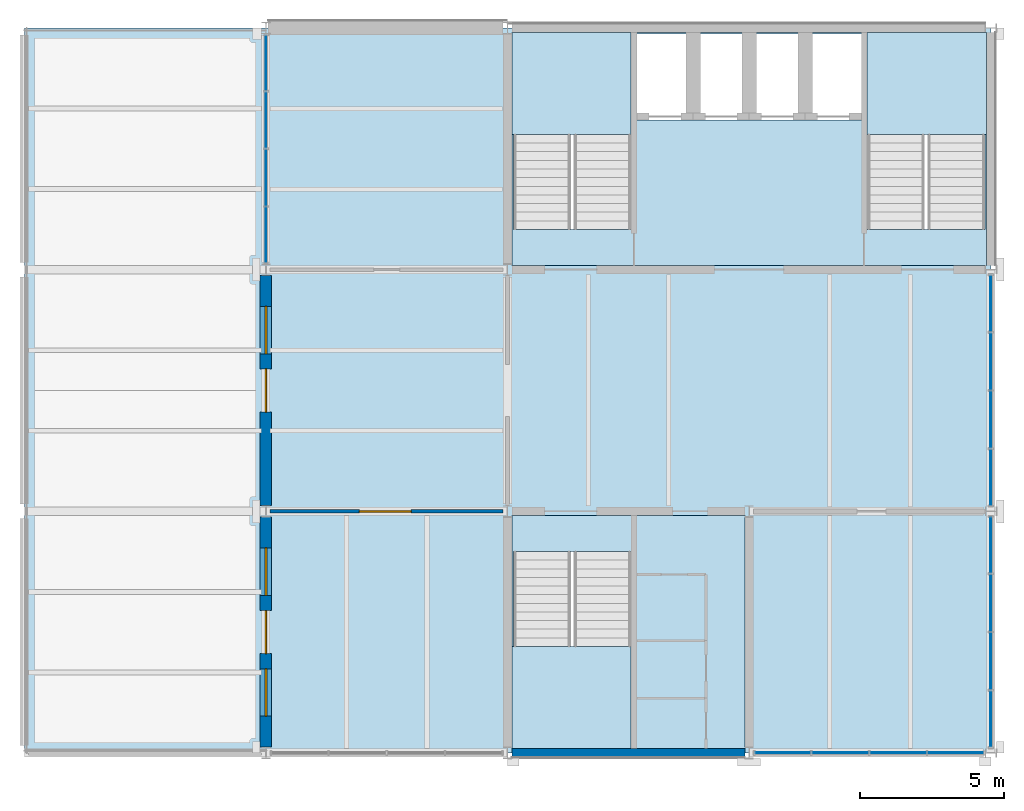
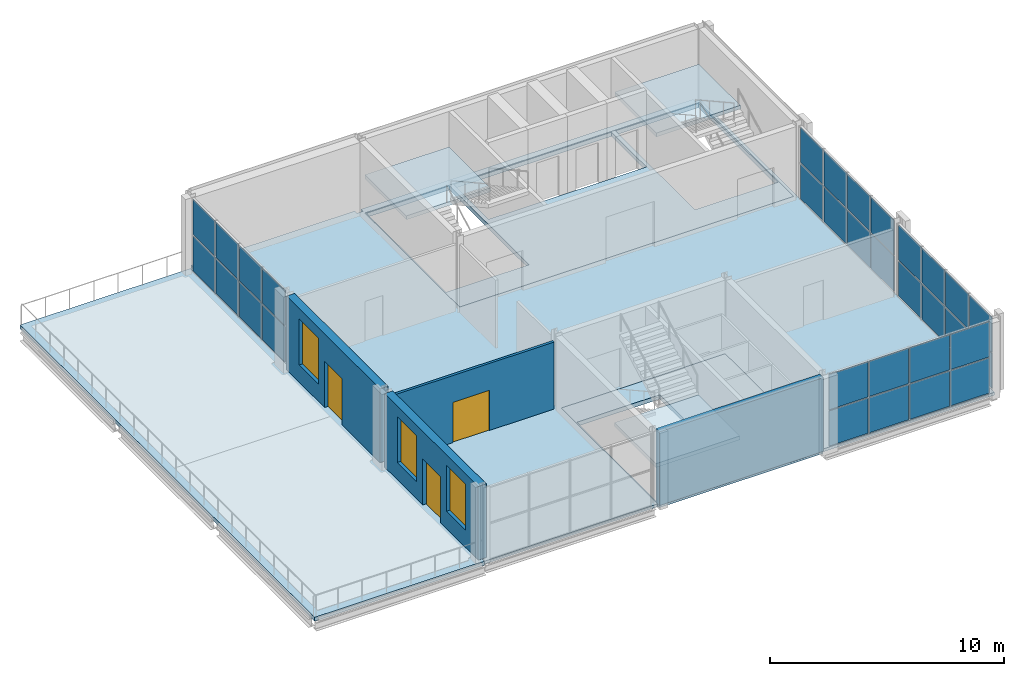
# One storey, part 6 of 9: 32 plates, 7 slabs, 4 walls, 3 doors, 3 windows, 6 openings, 7 elements without a shape of their own.
"""IFC4 building model written with IfcOpenShell, lengths in metres."""

from ifc_helpers import new_model, si_unit, direction, frame, frame_2d, origin, origin_2d, place, context, subcontext, project, spatial, polyline, rectangle, outline, extrude, material, layer, layer_set, type_object, element, fill, aggregate, save


model = new_model("IFC4")

# Units and contexts
model_context = context("Model", 3, precision=1e-05, world=origin(), true_north=direction((0.0, 1.0)))
body_context = subcontext(model_context, "Body", "Model", "MODEL_VIEW")
ifc_project = project(units=[si_unit("LENGTHUNIT", "METRE"), si_unit("AREAUNIT", "SQUARE_METRE"), si_unit("VOLUMEUNIT", "CUBIC_METRE"), si_unit("PLANEANGLEUNIT", "RADIAN"), si_unit("MASSUNIT", "GRAM", prefix="KILO")], contexts=[model_context])

# Site, building, storey
site_placement = place(None, origin())
site = spatial("IfcSite", under=ifc_project, at=site_placement, CompositionType="ELEMENT")
building_placement = place(site_placement, origin())
building = spatial("IfcBuilding", under=site, at=building_placement, Name="Galleria Vessillo Department Store", CompositionType="ELEMENT")
storey_placement = place(building_placement, frame((0.0, 0.0, 47.60009765625)))
storey = spatial("IfcBuildingStorey", under=building, at=storey_placement, Name="L10", CompositionType="ELEMENT", Elevation=47.60009765625)

# Slabs
ifc_material_1 = material(Name="Concrete C32/40 composite on steel deck", Category="concrete")
ifc_layer_1 = layer(ifc_material_1, 0.14990234375)
ifc_layer_set_1 = layer_set([ifc_layer_1], Name="Concrete C32/40 composite on steel deck")
slab_type_1 = type_object("IfcSlabType", Name="Composite floor slab 150 mm", PredefinedType="FLOOR", material=ifc_layer_set_1)
slab_1_placement = place(storey_placement, frame((0.0, 0.0, -0.14990234375)))
element("IfcSlab", 1, at=slab_1_placement, inside=storey, type_object=slab_type_1, Name="S-SLAB-L10-FLOOR", PredefinedType="FLOOR", context=body_context, shape_type="SweptSolid", body=[
    extrude(outline(polyline([(100.95068359375, 37.800048828125), (92.39990234375, 37.800048828125), (92.39990234375, 63.0), (92.550537109375, 63.0), (92.550537109375, 63.199951171875), (100.6494140625, 63.199951171875), (100.6494140625, 63.0), (100.95068359375, 63.0), (100.95068359375, 63.17431640625), (117.349609375, 63.17431640625), (117.349609375, 63.0), (117.60009765625, 63.0), (117.60009765625, 37.800048828125), (109.04931640625, 37.800048828125), (109.04931640625, 37.699951171875), (100.95068359375, 37.699951171875), (100.95068359375, 37.800048828125)]), holes=[polyline([(109.050048828125, 37.949951171875), (109.050048828125, 46.050048828125), (100.949951171875, 46.050048828125), (100.949951171875, 37.949951171875), (109.050048828125, 37.949951171875)]), polyline([(117.4501953125, 54.75), (117.4501953125, 62.85009765625), (100.949951171875, 62.85009765625), (100.949951171875, 54.75), (117.4501953125, 54.75)])]), origin(), (0.0, 0.0, 1.0), 0.14990234375),
])
ifc_material_2 = material(Name="Concrete C32/40 composite on steel deck", Category="concrete")
ifc_layer_2 = layer(ifc_material_2, 0.199951171875)
ifc_layer_set_2 = layer_set([ifc_layer_2], Name="Concrete C32/40 composite on steel deck")
slab_type_2 = type_object("IfcSlabType", Name="Composite terrace slab 200 mm", PredefinedType="ROOF", material=ifc_layer_set_2)
slab_2_placement = place(storey_placement, frame((0.0, 0.0, -0.199951171875)))
element("IfcSlab", 2, at=slab_2_placement, inside=storey, type_object=slab_type_2, Name="S-SLAB-L10-TERRACE", PredefinedType="ROOF", context=body_context, shape_type="SweptSolid", body=[
    extrude(outline(polyline([(84.0, 37.800048828125), (84.0, 63.0), (92.39990234375, 63.0), (92.39990234375, 37.800048828125), (84.0, 37.800048828125)])), origin(), (0.0, 0.0, 1.0), 0.199951171875),
])

# Curtain wall, plates
ifc_material_3 = material(Name="Aluminium and glass curtain wall", Category="aluminium")
ifc_layer_3 = layer(ifc_material_3, 0.159912109375)
ifc_layer_set_3 = layer_set([ifc_layer_3], Name="Aluminium and glass curtain wall")
curtain_wall_type = type_object("IfcCurtainWallType", Name="Tower curtain wall CW4 2100 module", PredefinedType="NOTDEFINED", material=ifc_layer_set_3)
curtain_wall_1_placement = place(storey_placement, origin())
curtain_wall_1 = element("IfcCurtainWall", 3, at=curtain_wall_1_placement, inside=storey, type_object=curtain_wall_type, Name="Tower curtain wall CW4 2100 module TW-L10-03", PredefinedType="NOTDEFINED")
ifc_material_4 = material(Name="Glass laminated 44.2 low-e", Category="glass")
ifc_layer_4 = layer(ifc_material_4, 0.028076171875)
ifc_layer_set_4 = layer_set([ifc_layer_4], Name="Glass laminated 44.2 low-e")
plate_type_1 = type_object("IfcPlateType", Name="Laminated glass panel 28 mm", PredefinedType="CURTAIN_PANEL", material=ifc_layer_set_4)
plate_1_placement = place(storey_placement, frame((92.39990234375, 55.81494140625, 1.955078125), z_axis=(0.0, 0.0, 1.0), x_axis=(0.0, 1.0, 0.0)))
plate_1 = element("IfcPlate", 4, at=plate_1_placement, type_object=plate_type_1, Name="CW4 panel 1.2", PredefinedType="CURTAIN_PANEL", context=body_context, shape_type="SweptSolid", body=[
    extrude(rectangle(XDim=1.909912109375, YDim=0.028076171875, at=origin_2d()), origin(), (0.0, 0.0, 1.0), 1.835205078125),
])
plate_2_placement = place(storey_placement, frame((92.39990234375, 57.800048828125, 1.955078125), z_axis=(0.0, 0.0, 1.0), x_axis=(0.0, 1.0, 0.0)))
plate_2 = element("IfcPlate", 5, at=plate_2_placement, type_object=plate_type_1, Name="CW4 panel 2.2", PredefinedType="CURTAIN_PANEL", context=body_context, shape_type="SweptSolid", body=[
    extrude(rectangle(XDim=1.93994140625, YDim=0.028076171875, at=origin_2d()), origin(), (0.0, 0.0, 1.0), 1.835205078125),
])
plate_3_placement = place(storey_placement, frame((92.39990234375, 59.800048828125, 1.955078125), z_axis=(0.0, 0.0, 1.0), x_axis=(0.0, 1.0, 0.0)))
plate_3 = element("IfcPlate", 6, at=plate_3_placement, type_object=plate_type_1, Name="CW4 panel 3.2", PredefinedType="CURTAIN_PANEL", context=body_context, shape_type="SweptSolid", body=[
    extrude(rectangle(XDim=1.93994140625, YDim=0.028076171875, at=origin_2d()), origin(), (0.0, 0.0, 1.0), 1.835205078125),
])
plate_4_placement = place(storey_placement, frame((92.39990234375, 61.78515625, 1.955078125), z_axis=(0.0, 0.0, 1.0), x_axis=(0.0, 1.0, 0.0)))
plate_4 = element("IfcPlate", 7, at=plate_4_placement, type_object=plate_type_1, Name="CW4 panel 4.2", PredefinedType="CURTAIN_PANEL", context=body_context, shape_type="SweptSolid", body=[
    extrude(rectangle(XDim=1.909912109375, YDim=0.028076171875, at=origin_2d()), origin(), (0.0, 0.0, 1.0), 1.835205078125),
])

curtain_wall_2_placement = place(storey_placement, origin())
curtain_wall_2 = element("IfcCurtainWall", 8, at=curtain_wall_2_placement, inside=storey, type_object=curtain_wall_type, Name="Tower curtain wall CW4 2100 module TS-L10-02", PredefinedType="NOTDEFINED")
plate_5_placement = place(storey_placement, frame((110.37109375, 37.800048828125, 1.955078125), z_axis=(0.0, 0.0, 1.0), x_axis=(1.0, 0.0, 0.0)))
plate_5 = element("IfcPlate", 9, at=plate_5_placement, type_object=plate_type_1, Name="CW4 panel 1.2", PredefinedType="CURTAIN_PANEL", context=body_context, shape_type="SweptSolid", body=[
    extrude(rectangle(XDim=1.922607421875, YDim=0.028076171875, at=origin_2d()), origin(), (0.0, 0.0, 1.0), 1.835205078125),
])
plate_6_placement = place(storey_placement, frame((112.36865234375, 37.800048828125, 1.955078125), z_axis=(0.0, 0.0, 1.0), x_axis=(1.0, 0.0, 0.0)))
plate_6 = element("IfcPlate", 10, at=plate_6_placement, type_object=plate_type_1, Name="CW4 panel 2.2", PredefinedType="CURTAIN_PANEL", context=body_context, shape_type="SweptSolid", body=[
    extrude(rectangle(XDim=1.95263671875, YDim=0.028076171875, at=origin_2d()), origin(), (0.0, 0.0, 1.0), 1.835205078125),
])
plate_7_placement = place(storey_placement, frame((114.38134765625, 37.800048828125, 1.955078125), z_axis=(0.0, 0.0, 1.0), x_axis=(1.0, 0.0, 0.0)))
plate_7 = element("IfcPlate", 11, at=plate_7_placement, type_object=plate_type_1, Name="CW4 panel 3.2", PredefinedType="CURTAIN_PANEL", context=body_context, shape_type="SweptSolid", body=[
    extrude(rectangle(XDim=1.95263671875, YDim=0.028076171875, at=origin_2d()), origin(), (0.0, 0.0, 1.0), 1.835205078125),
])
plate_8_placement = place(storey_placement, frame((116.37890625, 37.800048828125, 1.955078125), z_axis=(0.0, 0.0, 1.0), x_axis=(1.0, 0.0, 0.0)))
plate_8 = element("IfcPlate", 12, at=plate_8_placement, type_object=plate_type_1, Name="CW4 panel 4.2", PredefinedType="CURTAIN_PANEL", context=body_context, shape_type="SweptSolid", body=[
    extrude(rectangle(XDim=1.922607421875, YDim=0.028076171875, at=origin_2d()), origin(), (0.0, 0.0, 1.0), 1.835205078125),
])

curtain_wall_3_placement = place(storey_placement, origin())
curtain_wall_3 = element("IfcCurtainWall", 13, at=curtain_wall_3_placement, inside=storey, type_object=curtain_wall_type, Name="Tower curtain wall CW4 2100 module TE-L10-01", PredefinedType="NOTDEFINED")
plate_9_placement = place(storey_placement, frame((117.60009765625, 38.9775390625, 1.955078125), z_axis=(0.0, 0.0, 1.0), x_axis=(0.0, 1.0, 0.0)))
plate_9 = element("IfcPlate", 14, at=plate_9_placement, type_object=plate_type_1, Name="CW4 panel 1.2", PredefinedType="CURTAIN_PANEL", context=body_context, shape_type="SweptSolid", body=[
    extrude(rectangle(XDim=1.93505859375, YDim=0.028076171875, at=origin_2d()), origin(), (0.0, 0.0, 1.0), 1.835205078125),
])
plate_10_placement = place(storey_placement, frame((117.60009765625, 40.987548828125, 1.955078125), z_axis=(0.0, 0.0, 1.0), x_axis=(0.0, 1.0, 0.0)))
plate_10 = element("IfcPlate", 15, at=plate_10_placement, type_object=plate_type_1, Name="CW4 panel 2.2", PredefinedType="CURTAIN_PANEL", context=body_context, shape_type="SweptSolid", body=[
    extrude(rectangle(XDim=1.965087890625, YDim=0.028076171875, at=origin_2d()), origin(), (0.0, 0.0, 1.0), 1.835205078125),
])
plate_11_placement = place(storey_placement, frame((117.60009765625, 43.012451171875, 1.955078125), z_axis=(0.0, 0.0, 1.0), x_axis=(0.0, 1.0, 0.0)))
plate_11 = element("IfcPlate", 16, at=plate_11_placement, type_object=plate_type_1, Name="CW4 panel 3.2", PredefinedType="CURTAIN_PANEL", context=body_context, shape_type="SweptSolid", body=[
    extrude(rectangle(XDim=1.965087890625, YDim=0.028076171875, at=origin_2d()), origin(), (0.0, 0.0, 1.0), 1.835205078125),
])
plate_12_placement = place(storey_placement, frame((117.60009765625, 45.0224609375, 1.955078125), z_axis=(0.0, 0.0, 1.0), x_axis=(0.0, 1.0, 0.0)))
plate_12 = element("IfcPlate", 17, at=plate_12_placement, type_object=plate_type_1, Name="CW4 panel 4.2", PredefinedType="CURTAIN_PANEL", context=body_context, shape_type="SweptSolid", body=[
    extrude(rectangle(XDim=1.93505859375, YDim=0.028076171875, at=origin_2d()), origin(), (0.0, 0.0, 1.0), 1.835205078125),
])

curtain_wall_4_placement = place(storey_placement, origin())
curtain_wall_4 = element("IfcCurtainWall", 18, at=curtain_wall_4_placement, inside=storey, type_object=curtain_wall_type, Name="Tower curtain wall CW4 2100 module TE-L10-02", PredefinedType="NOTDEFINED")
plate_13_placement = place(storey_placement, frame((117.60009765625, 47.37744140625, 1.955078125), z_axis=(0.0, 0.0, 1.0), x_axis=(0.0, 1.0, 0.0)))
plate_13 = element("IfcPlate", 19, at=plate_13_placement, type_object=plate_type_1, Name="CW4 panel 1.2", PredefinedType="CURTAIN_PANEL", context=body_context, shape_type="SweptSolid", body=[
    extrude(rectangle(XDim=1.93505859375, YDim=0.028076171875, at=origin_2d()), origin(), (0.0, 0.0, 1.0), 1.835205078125),
])
plate_14_placement = place(storey_placement, frame((117.60009765625, 49.387451171875, 1.955078125), z_axis=(0.0, 0.0, 1.0), x_axis=(0.0, 1.0, 0.0)))
plate_14 = element("IfcPlate", 20, at=plate_14_placement, type_object=plate_type_1, Name="CW4 panel 2.2", PredefinedType="CURTAIN_PANEL", context=body_context, shape_type="SweptSolid", body=[
    extrude(rectangle(XDim=1.965087890625, YDim=0.028076171875, at=origin_2d()), origin(), (0.0, 0.0, 1.0), 1.835205078125),
])
plate_15_placement = place(storey_placement, frame((117.60009765625, 51.41259765625, 1.955078125), z_axis=(0.0, 0.0, 1.0), x_axis=(0.0, 1.0, 0.0)))
plate_15 = element("IfcPlate", 21, at=plate_15_placement, type_object=plate_type_1, Name="CW4 panel 3.2", PredefinedType="CURTAIN_PANEL", context=body_context, shape_type="SweptSolid", body=[
    extrude(rectangle(XDim=1.965087890625, YDim=0.028076171875, at=origin_2d()), origin(), (0.0, 0.0, 1.0), 1.835205078125),
])
plate_16_placement = place(storey_placement, frame((117.60009765625, 53.422607421875, 1.955078125), z_axis=(0.0, 0.0, 1.0), x_axis=(0.0, 1.0, 0.0)))
plate_16 = element("IfcPlate", 22, at=plate_16_placement, type_object=plate_type_1, Name="CW4 panel 4.2", PredefinedType="CURTAIN_PANEL", context=body_context, shape_type="SweptSolid", body=[
    extrude(rectangle(XDim=1.93505859375, YDim=0.028076171875, at=origin_2d()), origin(), (0.0, 0.0, 1.0), 1.835205078125),
])

# Slabs
ifc_material_5 = material(Name="Concrete C32/40 reinforced", Category="concrete")
ifc_layer_5 = layer(ifc_material_5, 0.219970703125)
ifc_layer_set_5 = layer_set([ifc_layer_5], Name="Concrete C32/40 reinforced")
slab_type_3 = type_object("IfcSlabType", Name="Reinforced concrete core floor slab 220 mm", PredefinedType="FLOOR", material=ifc_layer_set_5)
slab_3_placement = place(storey_placement, frame((0.0, 0.0, -0.219970703125)))
element("IfcSlab", 23, at=slab_3_placement, inside=storey, type_object=slab_type_3, Name="S-SLAB-L10-CORE-TC", PredefinedType="FLOOR", context=body_context, shape_type="SweptSolid", body=[
    extrude(outline(polyline([(100.949951171875, 54.75), (100.949951171875, 62.85009765625), (117.4501953125, 62.85009765625), (117.4501953125, 54.75), (100.949951171875, 54.75)]), holes=[polyline([(105.10009765625, 56.0), (105.10009765625, 62.800048828125), (101.0, 62.800048828125), (101.0, 56.0), (105.10009765625, 56.0)]), polyline([(113.300048828125, 56.0), (117.39990234375, 56.0), (117.39990234375, 62.800048828125), (113.300048828125, 62.800048828125), (113.300048828125, 56.0)]), polyline([(105.300048828125, 59.800048828125), (113.10009765625, 59.800048828125), (113.10009765625, 62.800048828125), (105.300048828125, 62.800048828125), (105.300048828125, 59.800048828125)])]), origin(), (0.0, 0.0, 1.0), 0.219970703125),
])
slab_4_placement = place(storey_placement, frame((0.0, 0.0, -0.219970703125)))
element("IfcSlab", 24, at=slab_4_placement, inside=storey, type_object=slab_type_3, Name="S-SLAB-L10-CORE-TS", PredefinedType="FLOOR", context=body_context, shape_type="SweptSolid", body=[
    extrude(outline(polyline([(100.949951171875, 37.949951171875), (100.949951171875, 46.050048828125), (109.050048828125, 46.050048828125), (109.050048828125, 37.949951171875), (100.949951171875, 37.949951171875)]), holes=[polyline([(105.10009765625, 44.800048828125), (101.0, 44.800048828125), (101.0, 38.0), (105.10009765625, 38.0), (105.10009765625, 44.800048828125)])]), origin(), (0.0, 0.0, 1.0), 0.219970703125),
])

# Stair, slab
ifc_material_6 = material(Name="Concrete C32/40", Category="concrete")
stair_type = type_object("IfcStairType", Name="Half-turn escape stair 2000 mm, 24 risers of 167 mm", PredefinedType="HALF_TURN_STAIR", material=ifc_material_6)
stair_1_placement = place(storey_placement, origin())
stair_1 = element("IfcStair", 25, at=stair_1_placement, inside=storey, type_object=stair_type, Name="Stair ST8 L10", PredefinedType="HALF_TURN_STAIR")
ifc_material_7 = material(Name="Concrete C32/40", Category="concrete")
ifc_layer_6 = layer(ifc_material_7, 0.199951171875)
ifc_layer_set_6 = layer_set([ifc_layer_6], Name="Concrete C32/40")
slab_type_4 = type_object("IfcSlabType", Name="Stair half landing 4150 x 3550 mm", PredefinedType="LANDING", material=ifc_layer_set_6)
slab_5_placement = place(storey_placement, frame((0.0, 0.0, 1.800048828125)))
slab_5 = element("IfcSlab", 26, at=slab_5_placement, type_object=slab_type_4, Name="ST8 landing 1", PredefinedType="LANDING", context=body_context, shape_type="SweptSolid", body=[
    extrude(outline(polyline([(100.949951171875, 59.300048828125), (100.949951171875, 62.85009765625), (105.10009765625, 62.85009765625), (105.10009765625, 59.300048828125), (100.949951171875, 59.300048828125)])), origin(), (0.0, 0.0, 1.0), 0.199951171875),
])
aggregate(stair_1, [slab_5])

stair_2_placement = place(storey_placement, origin())
stair_2 = element("IfcStair", 27, at=stair_2_placement, inside=storey, type_object=stair_type, Name="Stair ST9 L10", PredefinedType="HALF_TURN_STAIR")
slab_6_placement = place(storey_placement, frame((0.0, 0.0, 1.800048828125)))
slab_6 = element("IfcSlab", 28, at=slab_6_placement, type_object=slab_type_4, Name="ST9 landing 1", PredefinedType="LANDING", context=body_context, shape_type="SweptSolid", body=[
    extrude(outline(polyline([(113.300048828125, 59.300048828125), (113.300048828125, 62.85009765625), (117.4501953125, 62.85009765625), (117.4501953125, 59.300048828125), (113.300048828125, 59.300048828125)])), origin(), (0.0, 0.0, 1.0), 0.199951171875),
])
aggregate(stair_2, [slab_6])

stair_3_placement = place(storey_placement, origin())
stair_3 = element("IfcStair", 29, at=stair_3_placement, inside=storey, type_object=stair_type, Name="Stair ST12 L10", PredefinedType="HALF_TURN_STAIR")
slab_7_placement = place(storey_placement, frame((0.0, 0.0, 1.800048828125)))
slab_7 = element("IfcSlab", 30, at=slab_7_placement, type_object=slab_type_4, Name="ST12 landing 1", PredefinedType="LANDING", context=body_context, shape_type="SweptSolid", body=[
    extrude(outline(polyline([(100.949951171875, 37.949951171875), (100.949951171875, 41.5), (105.10009765625, 41.5), (105.10009765625, 37.949951171875), (100.949951171875, 37.949951171875)])), origin(), (0.0, 0.0, 1.0), 0.199951171875),
])
aggregate(stair_3, [slab_7])

# Plate
ifc_material_8 = material(Name="Limestone spandrel on aluminium tray", Category="masonry")
ifc_layer_7 = layer(ifc_material_8, 0.028076171875)
ifc_layer_set_7 = layer_set([ifc_layer_7], Name="Limestone spandrel on aluminium tray")
plate_type_2 = type_object("IfcPlateType", Name="Stone spandrel panel 28 mm", PredefinedType="CURTAIN_PANEL", material=ifc_layer_set_7)
plate_17_placement = place(storey_placement, frame((92.39990234375, 55.81494140625, 0.06005859375), z_axis=(0.0, 0.0, 1.0), x_axis=(0.0, 1.0, 0.0)))
plate_17 = element("IfcPlate", 31, at=plate_17_placement, type_object=plate_type_2, Name="CW4 panel 1.1", PredefinedType="CURTAIN_PANEL", context=body_context, shape_type="SweptSolid", body=[
    extrude(rectangle(XDim=1.909912109375, YDim=0.028076171875, at=origin_2d()), origin(), (0.0, 0.0, 1.0), 1.8349609375),
])

plate_18_placement = place(storey_placement, frame((92.39990234375, 57.800048828125, 0.06005859375), z_axis=(0.0, 0.0, 1.0), x_axis=(0.0, 1.0, 0.0)))
plate_18 = element("IfcPlate", 32, at=plate_18_placement, type_object=plate_type_2, Name="CW4 panel 2.1", PredefinedType="CURTAIN_PANEL", context=body_context, shape_type="SweptSolid", body=[
    extrude(rectangle(XDim=1.93994140625, YDim=0.028076171875, at=origin_2d()), origin(), (0.0, 0.0, 1.0), 1.8349609375),
])

plate_19_placement = place(storey_placement, frame((92.39990234375, 59.800048828125, 0.06005859375), z_axis=(0.0, 0.0, 1.0), x_axis=(0.0, 1.0, 0.0)))
plate_19 = element("IfcPlate", 33, at=plate_19_placement, type_object=plate_type_2, Name="CW4 panel 3.1", PredefinedType="CURTAIN_PANEL", context=body_context, shape_type="SweptSolid", body=[
    extrude(rectangle(XDim=1.93994140625, YDim=0.028076171875, at=origin_2d()), origin(), (0.0, 0.0, 1.0), 1.8349609375),
])

plate_20_placement = place(storey_placement, frame((92.39990234375, 61.78515625, 0.06005859375), z_axis=(0.0, 0.0, 1.0), x_axis=(0.0, 1.0, 0.0)))
plate_20 = element("IfcPlate", 34, at=plate_20_placement, type_object=plate_type_2, Name="CW4 panel 4.1", PredefinedType="CURTAIN_PANEL", context=body_context, shape_type="SweptSolid", body=[
    extrude(rectangle(XDim=1.909912109375, YDim=0.028076171875, at=origin_2d()), origin(), (0.0, 0.0, 1.0), 1.8349609375),
])

aggregate(curtain_wall_1, [plate_17, plate_1, plate_18, plate_2, plate_19, plate_3, plate_20, plate_4])

plate_21_placement = place(storey_placement, frame((110.37109375, 37.800048828125, 0.06005859375), z_axis=(0.0, 0.0, 1.0), x_axis=(1.0, 0.0, 0.0)))
plate_21 = element("IfcPlate", 35, at=plate_21_placement, type_object=plate_type_2, Name="CW4 panel 1.1", PredefinedType="CURTAIN_PANEL", context=body_context, shape_type="SweptSolid", body=[
    extrude(rectangle(XDim=1.922607421875, YDim=0.028076171875, at=origin_2d()), origin(), (0.0, 0.0, 1.0), 1.8349609375),
])

plate_22_placement = place(storey_placement, frame((112.36865234375, 37.800048828125, 0.06005859375), z_axis=(0.0, 0.0, 1.0), x_axis=(1.0, 0.0, 0.0)))
plate_22 = element("IfcPlate", 36, at=plate_22_placement, type_object=plate_type_2, Name="CW4 panel 2.1", PredefinedType="CURTAIN_PANEL", context=body_context, shape_type="SweptSolid", body=[
    extrude(rectangle(XDim=1.95263671875, YDim=0.028076171875, at=origin_2d()), origin(), (0.0, 0.0, 1.0), 1.8349609375),
])

plate_23_placement = place(storey_placement, frame((114.38134765625, 37.800048828125, 0.06005859375), z_axis=(0.0, 0.0, 1.0), x_axis=(1.0, 0.0, 0.0)))
plate_23 = element("IfcPlate", 37, at=plate_23_placement, type_object=plate_type_2, Name="CW4 panel 3.1", PredefinedType="CURTAIN_PANEL", context=body_context, shape_type="SweptSolid", body=[
    extrude(rectangle(XDim=1.95263671875, YDim=0.028076171875, at=origin_2d()), origin(), (0.0, 0.0, 1.0), 1.8349609375),
])

plate_24_placement = place(storey_placement, frame((116.37890625, 37.800048828125, 0.06005859375), z_axis=(0.0, 0.0, 1.0), x_axis=(1.0, 0.0, 0.0)))
plate_24 = element("IfcPlate", 38, at=plate_24_placement, type_object=plate_type_2, Name="CW4 panel 4.1", PredefinedType="CURTAIN_PANEL", context=body_context, shape_type="SweptSolid", body=[
    extrude(rectangle(XDim=1.922607421875, YDim=0.028076171875, at=origin_2d()), origin(), (0.0, 0.0, 1.0), 1.8349609375),
])

aggregate(curtain_wall_2, [plate_21, plate_5, plate_22, plate_6, plate_23, plate_7, plate_24, plate_8])

plate_25_placement = place(storey_placement, frame((117.60009765625, 38.9775390625, 0.06005859375), z_axis=(0.0, 0.0, 1.0), x_axis=(0.0, 1.0, 0.0)))
plate_25 = element("IfcPlate", 39, at=plate_25_placement, type_object=plate_type_2, Name="CW4 panel 1.1", PredefinedType="CURTAIN_PANEL", context=body_context, shape_type="SweptSolid", body=[
    extrude(rectangle(XDim=1.93505859375, YDim=0.028076171875, at=origin_2d()), origin(), (0.0, 0.0, 1.0), 1.8349609375),
])

plate_26_placement = place(storey_placement, frame((117.60009765625, 40.987548828125, 0.06005859375), z_axis=(0.0, 0.0, 1.0), x_axis=(0.0, 1.0, 0.0)))
plate_26 = element("IfcPlate", 40, at=plate_26_placement, type_object=plate_type_2, Name="CW4 panel 2.1", PredefinedType="CURTAIN_PANEL", context=body_context, shape_type="SweptSolid", body=[
    extrude(rectangle(XDim=1.965087890625, YDim=0.028076171875, at=origin_2d()), origin(), (0.0, 0.0, 1.0), 1.8349609375),
])

plate_27_placement = place(storey_placement, frame((117.60009765625, 43.012451171875, 0.06005859375), z_axis=(0.0, 0.0, 1.0), x_axis=(0.0, 1.0, 0.0)))
plate_27 = element("IfcPlate", 41, at=plate_27_placement, type_object=plate_type_2, Name="CW4 panel 3.1", PredefinedType="CURTAIN_PANEL", context=body_context, shape_type="SweptSolid", body=[
    extrude(rectangle(XDim=1.965087890625, YDim=0.028076171875, at=origin_2d()), origin(), (0.0, 0.0, 1.0), 1.8349609375),
])

plate_28_placement = place(storey_placement, frame((117.60009765625, 45.0224609375, 0.06005859375), z_axis=(0.0, 0.0, 1.0), x_axis=(0.0, 1.0, 0.0)))
plate_28 = element("IfcPlate", 42, at=plate_28_placement, type_object=plate_type_2, Name="CW4 panel 4.1", PredefinedType="CURTAIN_PANEL", context=body_context, shape_type="SweptSolid", body=[
    extrude(rectangle(XDim=1.93505859375, YDim=0.028076171875, at=origin_2d()), origin(), (0.0, 0.0, 1.0), 1.8349609375),
])

aggregate(curtain_wall_3, [plate_25, plate_9, plate_26, plate_10, plate_27, plate_11, plate_28, plate_12])

plate_29_placement = place(storey_placement, frame((117.60009765625, 47.37744140625, 0.06005859375), z_axis=(0.0, 0.0, 1.0), x_axis=(0.0, 1.0, 0.0)))
plate_29 = element("IfcPlate", 43, at=plate_29_placement, type_object=plate_type_2, Name="CW4 panel 1.1", PredefinedType="CURTAIN_PANEL", context=body_context, shape_type="SweptSolid", body=[
    extrude(rectangle(XDim=1.93505859375, YDim=0.028076171875, at=origin_2d()), origin(), (0.0, 0.0, 1.0), 1.8349609375),
])

plate_30_placement = place(storey_placement, frame((117.60009765625, 49.387451171875, 0.06005859375), z_axis=(0.0, 0.0, 1.0), x_axis=(0.0, 1.0, 0.0)))
plate_30 = element("IfcPlate", 44, at=plate_30_placement, type_object=plate_type_2, Name="CW4 panel 2.1", PredefinedType="CURTAIN_PANEL", context=body_context, shape_type="SweptSolid", body=[
    extrude(rectangle(XDim=1.965087890625, YDim=0.028076171875, at=origin_2d()), origin(), (0.0, 0.0, 1.0), 1.8349609375),
])

plate_31_placement = place(storey_placement, frame((117.60009765625, 51.41259765625, 0.06005859375), z_axis=(0.0, 0.0, 1.0), x_axis=(0.0, 1.0, 0.0)))
plate_31 = element("IfcPlate", 45, at=plate_31_placement, type_object=plate_type_2, Name="CW4 panel 3.1", PredefinedType="CURTAIN_PANEL", context=body_context, shape_type="SweptSolid", body=[
    extrude(rectangle(XDim=1.965087890625, YDim=0.028076171875, at=origin_2d()), origin(), (0.0, 0.0, 1.0), 1.8349609375),
])

plate_32_placement = place(storey_placement, frame((117.60009765625, 53.422607421875, 0.06005859375), z_axis=(0.0, 0.0, 1.0), x_axis=(0.0, 1.0, 0.0)))
plate_32 = element("IfcPlate", 46, at=plate_32_placement, type_object=plate_type_2, Name="CW4 panel 4.1", PredefinedType="CURTAIN_PANEL", context=body_context, shape_type="SweptSolid", body=[
    extrude(rectangle(XDim=1.93505859375, YDim=0.028076171875, at=origin_2d()), origin(), (0.0, 0.0, 1.0), 1.8349609375),
])

aggregate(curtain_wall_4, [plate_29, plate_13, plate_30, plate_14, plate_31, plate_15, plate_32, plate_16])

# Wall, openings, door, windows
ifc_material_9 = material(Name="Reinforced masonry, limestone units 80 MPa", Category="masonry")
ifc_layer_8 = layer(ifc_material_9, 0.39990234375)
ifc_layer_set_8 = layer_set([ifc_layer_8], Name="Reinforced masonry, limestone units 80 MPa")
wall_type_1 = type_object("IfcWallType", Name="Load-bearing limestone-faced wall 400 mm", PredefinedType="STANDARD", material=ifc_layer_set_8)
wall_1_placement = place(storey_placement, frame((92.39990234375, 38.0, 0.0), z_axis=(0.0, 0.0, 1.0), x_axis=(0.0, 1.0, 0.0)))
wall_1 = element("IfcWall", 47, at=wall_1_placement, inside=storey, type_object=wall_type_1, Name="Load-bearing limestone-faced wall 400 mm TW-L10-01", PredefinedType="STANDARD", context=body_context, shape_type="SweptSolid", body=[
    extrude(rectangle(XDim=8.0, YDim=0.39990234375, at=frame_2d((4.0, 0.0))), origin(), (0.0, 0.0, 1.0), 3.85009765625),
])
opening_1_placement = place(wall_1_placement, frame((1.074951171875, 0.0, 0.89990234375)))
opening_1 = element("IfcOpeningElement", 48, at=opening_1_placement, cuts=wall_1, Name="Opening W095", PredefinedType="OPENING", context=body_context, shape_type="SweptSolid", body=[
    extrude(rectangle(XDim=1.64990234375, YDim=2.39990234375, at=frame_2d((0.824951171875, 1.199951171875))), frame((0.0, 0.2099609375, 0.0), z_axis=(0.0, -1.0, 0.0), x_axis=(1.0, 0.0, 0.0)), (0.0, 0.0, 1.0), 0.419921875),
])
opening_2_placement = place(wall_1_placement, frame((5.27490234375, 0.0, 0.89990234375)))
opening_2 = element("IfcOpeningElement", 49, at=opening_2_placement, cuts=wall_1, Name="Opening W096", PredefinedType="OPENING", context=body_context, shape_type="SweptSolid", body=[
    extrude(rectangle(XDim=1.64990234375, YDim=2.39990234375, at=frame_2d((0.824951171875, 1.199951171875))), frame((0.0, 0.2099609375, 0.0), z_axis=(0.0, -1.0, 0.0), x_axis=(1.0, 0.0, 0.0)), (0.0, 0.0, 1.0), 0.419921875),
])
opening_3_placement = place(wall_1_placement, frame((3.25, 0.0, 0.0)))
opening_3 = element("IfcOpeningElement", 50, at=opening_3_placement, cuts=wall_1, Name="Opening DT10-W42", PredefinedType="OPENING", context=body_context, shape_type="SweptSolid", body=[
    extrude(rectangle(XDim=1.5, YDim=2.39990234375, at=frame_2d((0.75, 1.199951171875))), frame((0.0, 0.2099609375, 0.0), z_axis=(0.0, -1.0, 0.0), x_axis=(1.0, 0.0, 0.0)), (0.0, 0.0, 1.0), 0.419921875),
])
ifc_material_10 = material(Name="Aluminium frame with laminated glass 44.2", Category="aluminium")
door_type_1 = type_object("IfcDoorType", Name="Setback terrace door 1500 x 2400", OperationType="DOUBLE_DOOR_SINGLE_SWING", PredefinedType="DOOR", material=ifc_material_10)
door_1_placement = place(opening_3_placement, origin())
door_1 = element("IfcDoor", 51, at=door_1_placement, inside=storey, type_object=door_type_1, Name="Setback terrace door 1500 x 2400 DT10-W42", OperationType="DOUBLE_DOOR_SINGLE_SWING", OverallHeight=2.39990234375, OverallWidth=1.5, PredefinedType="DOOR", context=body_context, shape_type="SweptSolid", body=[
    extrude(rectangle(XDim=1.5, YDim=2.39990234375, at=frame_2d((0.75, 1.199951171875))), frame((0.0, 0.02490234375, 0.0), z_axis=(0.0, -1.0, 0.0), x_axis=(1.0, 0.0, 0.0)), (0.0, 0.0, 1.0), 0.050048828125),
])
fill(opening_3, door_1)
ifc_material_11 = material(Name="Aluminium frame with laminated glass 44.2", Category="aluminium")
window_type = type_object("IfcWindowType", Name="Tower window, middle storeys 1650 x 2400", PartitioningType="SINGLE_PANEL", PredefinedType="WINDOW", material=ifc_material_11)
window_1_placement = place(opening_1_placement, origin())
window_1 = element("IfcWindow", 52, at=window_1_placement, inside=storey, type_object=window_type, Name="E-WIN-TW-L10-01-095", OverallHeight=2.39990234375, OverallWidth=1.64990234375, PartitioningType="SINGLE_PANEL", PredefinedType="WINDOW", context=body_context, shape_type="SweptSolid", body=[
    extrude(rectangle(XDim=1.64990234375, YDim=2.39990234375, at=frame_2d((0.824951171875, 1.199951171875))), frame((0.0, 0.030029296875, 0.0), z_axis=(0.0, -1.0, 0.0), x_axis=(1.0, 0.0, 0.0)), (0.0, 0.0, 1.0), 0.06005859375),
])
fill(opening_1, window_1)
window_2_placement = place(opening_2_placement, origin())
window_2 = element("IfcWindow", 53, at=window_2_placement, inside=storey, type_object=window_type, Name="E-WIN-TW-L10-01-096", OverallHeight=2.39990234375, OverallWidth=1.64990234375, PartitioningType="SINGLE_PANEL", PredefinedType="WINDOW", context=body_context, shape_type="SweptSolid", body=[
    extrude(rectangle(XDim=1.64990234375, YDim=2.39990234375, at=frame_2d((0.824951171875, 1.199951171875))), frame((0.0, 0.030029296875, 0.0), z_axis=(0.0, -1.0, 0.0), x_axis=(1.0, 0.0, 0.0)), (0.0, 0.0, 1.0), 0.06005859375),
])
fill(opening_2, window_2)

# Wall, openings, door, window
wall_2_placement = place(storey_placement, frame((92.39990234375, 46.39990234375, 0.0), z_axis=(0.0, 0.0, 1.0), x_axis=(0.0, 1.0, 0.0)))
wall_2 = element("IfcWall", 54, at=wall_2_placement, inside=storey, type_object=wall_type_1, Name="Load-bearing limestone-faced wall 400 mm TW-L10-02", PredefinedType="STANDARD", context=body_context, shape_type="SweptSolid", body=[
    extrude(rectangle(XDim=8.000244140625, YDim=0.39990234375, at=frame_2d((4.0, 0.0))), origin(), (0.0, 0.0, 1.0), 3.85009765625),
])
opening_4_placement = place(wall_2_placement, frame((5.275146484375, 0.0, 0.89990234375)))
opening_4 = element("IfcOpeningElement", 55, at=opening_4_placement, cuts=wall_2, Name="Opening W097", PredefinedType="OPENING", context=body_context, shape_type="SweptSolid", body=[
    extrude(rectangle(XDim=1.64990234375, YDim=2.39990234375, at=frame_2d((0.824951171875, 1.199951171875))), frame((0.0, 0.2099609375, 0.0), z_axis=(0.0, -1.0, 0.0), x_axis=(1.0, 0.0, 0.0)), (0.0, 0.0, 1.0), 0.419921875),
])
opening_5_placement = place(wall_2_placement, frame((3.25, 0.0, 0.0)))
opening_5 = element("IfcOpeningElement", 56, at=opening_5_placement, cuts=wall_2, Name="Opening DT10-W50", PredefinedType="OPENING", context=body_context, shape_type="SweptSolid", body=[
    extrude(rectangle(XDim=1.5, YDim=2.39990234375, at=frame_2d((0.75, 1.199951171875))), frame((0.0, 0.2099609375, 0.0), z_axis=(0.0, -1.0, 0.0), x_axis=(1.0, 0.0, 0.0)), (0.0, 0.0, 1.0), 0.419921875),
])
door_2_placement = place(opening_5_placement, origin())
door_2 = element("IfcDoor", 57, at=door_2_placement, inside=storey, type_object=door_type_1, Name="Setback terrace door 1500 x 2400 DT10-W50", OperationType="DOUBLE_DOOR_SINGLE_SWING", OverallHeight=2.39990234375, OverallWidth=1.5, PredefinedType="DOOR", context=body_context, shape_type="SweptSolid", body=[
    extrude(rectangle(XDim=1.5, YDim=2.39990234375, at=frame_2d((0.75, 1.199951171875))), frame((0.0, 0.02490234375, 0.0), z_axis=(0.0, -1.0, 0.0), x_axis=(1.0, 0.0, 0.0)), (0.0, 0.0, 1.0), 0.050048828125),
])
fill(opening_5, door_2)
window_3_placement = place(opening_4_placement, origin())
window_3 = element("IfcWindow", 58, at=window_3_placement, inside=storey, type_object=window_type, Name="E-WIN-TW-L10-02-097", OverallHeight=2.39990234375, OverallWidth=1.64990234375, PartitioningType="SINGLE_PANEL", PredefinedType="WINDOW", context=body_context, shape_type="SweptSolid", body=[
    extrude(rectangle(XDim=1.64990234375, YDim=2.39990234375, at=frame_2d((0.824951171875, 1.199951171875))), frame((0.0, 0.030029296875, 0.0), z_axis=(0.0, -1.0, 0.0), x_axis=(1.0, 0.0, 0.0)), (0.0, 0.0, 1.0), 0.06005859375),
])
fill(opening_4, window_3)

# Wall, opening, door
ifc_material_12 = material(Name="Gypsum board partition")
ifc_layer_9 = layer(ifc_material_12, 0.125)
ifc_layer_set_9 = layer_set([ifc_layer_9], Name="Gypsum board partition")
wall_type_2 = type_object("IfcWallType", Name="Office partition 125 mm", PredefinedType="PARTITIONING", material=ifc_layer_set_9)
wall_3_placement = place(storey_placement, frame((92.5498046875, 46.199951171875, 0.0), z_axis=(0.0, 0.0, 1.0), x_axis=(1.0, 0.0, 0.0)))
wall_3 = element("IfcWall", 59, at=wall_3_placement, inside=storey, type_object=wall_type_2, Name="Partition wall PT2 on L10 no. 007", PredefinedType="PARTITIONING", context=body_context, shape_type="SweptSolid", body=[
    extrude(rectangle(XDim=8.100341796875, YDim=0.125, at=frame_2d((4.05029296875, 0.0))), origin(), (0.0, 0.0, 1.0), 3.5),
])
opening_6_placement = place(wall_3_placement, frame((3.10009765625, 0.0, 0.0)))
opening_6 = element("IfcOpeningElement", 60, at=opening_6_placement, cuts=wall_3, Name="Opening D3204", PredefinedType="OPENING", context=body_context, shape_type="SweptSolid", body=[
    extrude(rectangle(XDim=1.800048828125, YDim=2.10009765625, at=frame_2d((0.89990234375, 1.050048828125))), frame((0.0, 0.072509765625, 0.0), z_axis=(0.0, -1.0, 0.0), x_axis=(1.0, 0.0, 0.0)), (0.0, 0.0, 1.0), 0.14501953125),
])
ifc_material_13 = material(Name="Timber and glass door leaf", Category="wood")
door_type_2 = type_object("IfcDoorType", Name="Floor door 1800 double leaf", OperationType="DOUBLE_DOOR_SINGLE_SWING", PredefinedType="DOOR", material=ifc_material_13)
door_3_placement = place(opening_6_placement, origin())
door_3 = element("IfcDoor", 61, at=door_3_placement, inside=storey, type_object=door_type_2, Name="Door D3204", OperationType="DOUBLE_DOOR_SINGLE_SWING", OverallHeight=2.10009765625, OverallWidth=1.800048828125, PredefinedType="DOOR", context=body_context, shape_type="SweptSolid", body=[
    extrude(rectangle(XDim=1.800048828125, YDim=2.10009765625, at=frame_2d((0.89990234375, 1.050048828125))), frame((0.0, 0.02490234375, 0.0), z_axis=(0.0, -1.0, 0.0), x_axis=(1.0, 0.0, 0.0)), (0.0, 0.0, 1.0), 0.050048828125),
])
fill(opening_6, door_3)

# Wall
ifc_material_14 = material(Name="Concrete C32/40 reinforced", Category="concrete")
ifc_layer_10 = layer(ifc_material_14, 0.300048828125)
ifc_layer_set_10 = layer_set([ifc_layer_10], Name="Concrete C32/40 reinforced")
wall_type_3 = type_object("IfcWallType", Name="Reinforced concrete core wall 300 mm, external", PredefinedType="SHEAR", material=ifc_layer_set_10)
wall_4_placement = place(storey_placement, frame((100.949951171875, 37.800048828125, 0.0), z_axis=(0.0, 0.0, 1.0), x_axis=(1.0, 0.0, 0.0)))
element("IfcWall", 62, at=wall_4_placement, inside=storey, type_object=wall_type_3, Name="S-CW-TS-PARTY-L10", PredefinedType="SHEAR", context=body_context, shape_type="SweptSolid", body=[
    extrude(rectangle(XDim=8.10009765625, YDim=0.300048828125, at=frame_2d((4.050048828125, 0.0))), origin(), (0.0, 0.0, 1.0), 3.85009765625),
])

save(model, "model.ifc")
